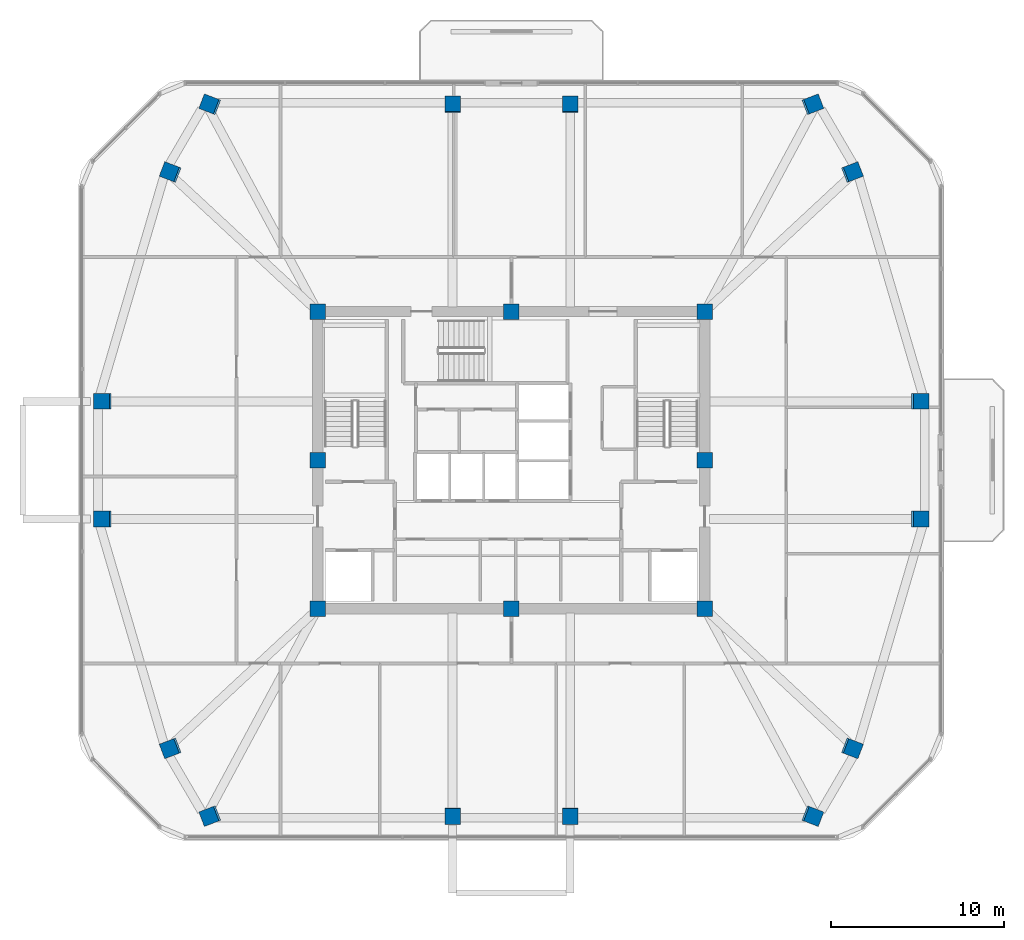
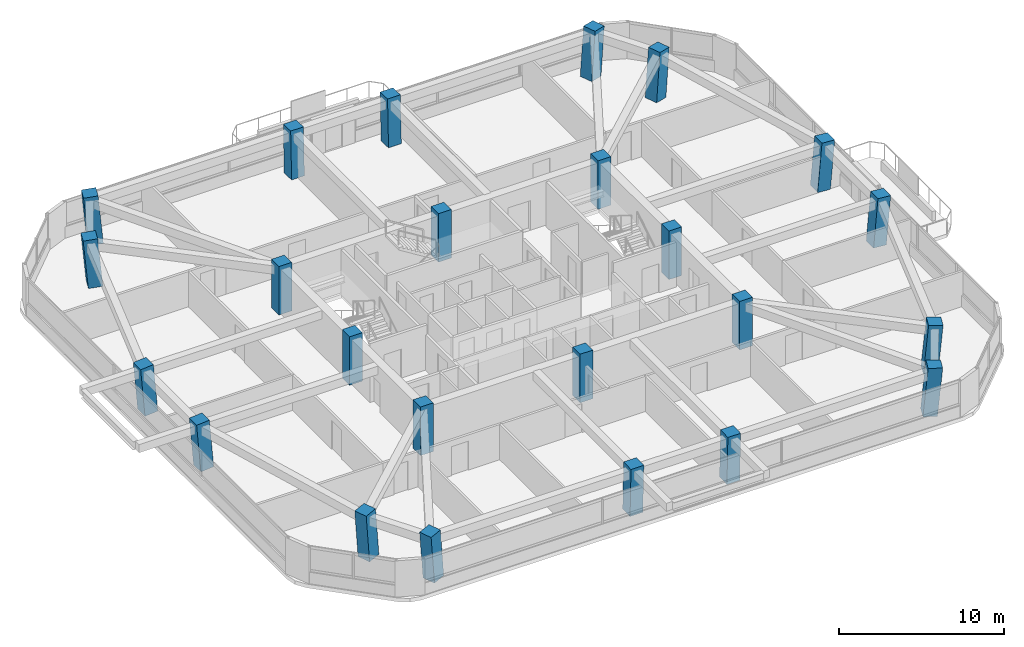
# One storey, part 1 of 13: 24 columns.
"""IFC4 building model written with IfcOpenShell, lengths in metres."""

from ifc_helpers import new_model, si_unit, derived_unit, direction, frame, origin, origin_2d, place, context, subcontext, project, spatial, rectangle, extrude, material, material_profile, profile_set, type_object, element, save


model = new_model("IFC4")

# Units and contexts
model_context = context("Model", 3, precision=1e-05, world=origin(), true_north=direction((0.0, 1.0)))
body_context = subcontext(model_context, "Body", "Model", "MODEL_VIEW")
ifc_project = project(units=[si_unit("LENGTHUNIT", "METRE"), si_unit("AREAUNIT", "SQUARE_METRE"), si_unit("VOLUMEUNIT", "CUBIC_METRE"), si_unit("PLANEANGLEUNIT", "RADIAN"), si_unit("MASSUNIT", "GRAM", prefix="KILO"), derived_unit("THERMALTRANSMITTANCEUNIT", [(si_unit("POWERUNIT", "WATT"), 1), (si_unit("LENGTHUNIT", "METRE"), -2), (si_unit("THERMODYNAMICTEMPERATUREUNIT", "KELVIN"), -1)])], contexts=[model_context])

# Site, building, storey
site_placement = place(None, origin())
site = spatial("IfcSite", under=ifc_project, at=site_placement, CompositionType="ELEMENT")
building_placement = place(site_placement, origin())
building = spatial("IfcBuilding", under=site, at=building_placement, Name="Koralith Skygarden Medical Center", CompositionType="ELEMENT")
storey_placement = place(building_placement, frame((0.0, 0.0, 196.3798828125)))
storey = spatial("IfcBuildingStorey", under=building, at=storey_placement, Name="L50", CompositionType="ELEMENT", Elevation=196.3798828125)

# Columns
ifc_material = material(Name="Concrete C55/67", Category="concrete")
ifc_material_profile_1 = material_profile(ifc_material, rectangle(XDim=0.89990234375, YDim=0.89990234375, at=origin_2d()), Name="RC900X900")
ifc_profile_set_1 = profile_set([ifc_material_profile_1], Name="Concrete C55/67")
column_type_1 = type_object("IfcColumnType", Name="Core Column C55 RC900", PredefinedType="COLUMN", material=ifc_profile_set_1)
for number, where, z_axis, x_axis, name in (
    (1, (25.800048828125, 17.300048828125, 0.0), (0.0, 0.0, 1.0), (1.0, 0.0, 0.0), "L50 Core Column CC-01"),
    (2, (37.0, 17.300048828125, 0.0), (0.0, 0.0, 1.0), (1.0, 0.0, 0.0), "L50 Core Column CC-02"),
    (3, (48.199951171875, 17.300048828125, 0.0), (0.0, 0.0, 1.0), (1.0, 0.0, 0.0), "L50 Core Column CC-03"),
    (4, (48.199951171875, 25.89990234375, 0.0), (0.0, 0.0, 1.0), (1.0, 0.0, 0.0), "L50 Core Column CC-04"),
    (5, (48.199951171875, 34.5, 0.0), (0.0, 0.0, 1.0), (1.0, 0.0, 0.0), "L50 Core Column CC-05"),
    (6, (37.0, 34.5, 0.0), (0.0, 0.0, 1.0), (1.0, 0.0, 0.0), "L50 Core Column CC-06"),
    (7, (25.800048828125, 34.5, 0.0), (0.0, 0.0, 1.0), (1.0, 0.0, 0.0), "L50 Core Column CC-07"),
    (8, (25.800048828125, 25.89990234375, 0.0), (0.0, 0.0, 1.0), (1.0, 0.0, 0.0), "L50 Core Column CC-08"),
):
    element("IfcColumn", number, at=place(storey_placement, frame(where, z_axis=z_axis, x_axis=x_axis)), inside=storey, type_object=column_type_1, Name=name, PredefinedType="COLUMN", context=body_context, shape_type="SweptSolid", body=[
        extrude(rectangle(XDim=0.89990234375, YDim=0.89990234375, at=origin_2d()), origin(), (0.0, 0.0, 1.0), 3.60009765625),
    ])
ifc_material_profile_2 = material_profile(ifc_material, rectangle(XDim=0.89990234375, YDim=0.89990234375, at=origin_2d()), Name="RC900X900")
ifc_profile_set_2 = profile_set([ifc_material_profile_2], Name="Concrete C55/67")
column_type_2 = type_object("IfcColumnType", Name="Zone 4 Flare Mega-Column C55 RC900", PredefinedType="COLUMN", material=ifc_profile_set_2)
column_1_placement = place(storey_placement, frame((13.39501953125, 22.5, 0.02099609375), z_axis=(-0.084844599786, 0.0, 0.996394196032), x_axis=(0.0, -1.0, 0.0)))
element("IfcColumn", 9, at=column_1_placement, inside=storey, type_object=column_type_2, Name="L50 Perimeter Mega-Column MC-01", PredefinedType="COLUMN", context=body_context, shape_type="SweptSolid", body=[
    extrude(rectangle(XDim=0.89990234375, YDim=0.89990234375, at=origin_2d()), origin(), (0.0, 0.0, 1.0), 3.571044921875),
])
for number, where, z_axis, x_axis, name in (
    (10, (17.31494140625, 9.25, 0.02099609375), (-0.084799896141, -0.032457655654, 0.995869207378), (0.357465730512, -0.933926255927, 0.0), "L50 Perimeter Mega-Column MC-02"),
    (11, (19.60595703125, 5.330078125, 0.02099609375), (-0.084528524595, -0.032458406776, 0.995892253389), (0.358473312771, -0.933539974522, 0.0), "L50 Perimeter Mega-Column MC-03"),
):
    element("IfcColumn", number, at=place(storey_placement, frame(where, z_axis=z_axis, x_axis=x_axis)), inside=storey, type_object=column_type_2, Name=name, PredefinedType="COLUMN", context=body_context, shape_type="SweptSolid", body=[
        extrude(rectangle(XDim=0.89990234375, YDim=0.89990234375, at=origin_2d()), origin(), (0.0, 0.0, 1.0), 3.57275390625),
    ])
for number, where, z_axis, x_axis, name in (
    (12, (33.60009765625, 5.330078125, 0.02099609375), (0.0, -0.032574990718, 0.999469294166), (1.0, 0.0, 0.0), "L50 Perimeter Mega-Column MC-04"),
    (13, (40.39990234375, 5.330078125, 0.02099609375), (0.0, -0.032574990718, 0.999469294166), (1.0, 0.0, 0.0), "L50 Perimeter Mega-Column MC-05"),
):
    element("IfcColumn", number, at=place(storey_placement, frame(where, z_axis=z_axis, x_axis=x_axis)), inside=storey, type_object=column_type_2, Name=name, PredefinedType="COLUMN", context=body_context, shape_type="SweptSolid", body=[
        extrude(rectangle(XDim=0.89990234375, YDim=0.89990234375, at=origin_2d()), origin(), (0.0, 0.0, 1.0), 3.56005859375),
    ])
for number, where, z_axis, x_axis, name in (
    (14, (54.39404296875, 5.330078125, 0.02099609375), (0.084528524595, -0.032458406776, 0.995892253389), (0.358473312771, 0.933539974522, 0.0), "L50 Perimeter Mega-Column MC-06"),
    (15, (56.68505859375, 9.25, 0.02099609375), (0.084799896141, -0.032457655654, 0.995869207378), (0.357465730512, 0.933926255927, 0.0), "L50 Perimeter Mega-Column MC-07"),
):
    element("IfcColumn", number, at=place(storey_placement, frame(where, z_axis=z_axis, x_axis=x_axis)), inside=storey, type_object=column_type_2, Name=name, PredefinedType="COLUMN", context=body_context, shape_type="SweptSolid", body=[
        extrude(rectangle(XDim=0.89990234375, YDim=0.89990234375, at=origin_2d()), origin(), (0.0, 0.0, 1.0), 3.57275390625),
    ])
for number, where, z_axis, x_axis, name in (
    (16, (60.60498046875, 22.5, 0.02099609375), (0.084844599786, 0.0, 0.996394196032), (0.0, 1.0, 0.0), "L50 Perimeter Mega-Column MC-08"),
    (17, (60.60498046875, 29.300048828125, 0.02099609375), (0.084844599786, 0.0, 0.996394196032), (0.0, 1.0, 0.0), "L50 Perimeter Mega-Column MC-09"),
):
    element("IfcColumn", number, at=place(storey_placement, frame(where, z_axis=z_axis, x_axis=x_axis)), inside=storey, type_object=column_type_2, Name=name, PredefinedType="COLUMN", context=body_context, shape_type="SweptSolid", body=[
        extrude(rectangle(XDim=0.89990234375, YDim=0.89990234375, at=origin_2d()), origin(), (0.0, 0.0, 1.0), 3.571044921875),
    ])
for number, where, z_axis, x_axis, name in (
    (18, (56.68505859375, 42.550048828125, 0.02099609375), (0.084799896141, 0.032457655654, 0.995869207378), (-0.357465730512, 0.933926255927, 0.0), "L50 Perimeter Mega-Column MC-10"),
    (19, (54.39404296875, 46.469970703125, 0.02099609375), (0.084528524595, 0.032458406776, 0.995892253389), (-0.358473312771, 0.933539974522, 0.0), "L50 Perimeter Mega-Column MC-11"),
):
    element("IfcColumn", number, at=place(storey_placement, frame(where, z_axis=z_axis, x_axis=x_axis)), inside=storey, type_object=column_type_2, Name=name, PredefinedType="COLUMN", context=body_context, shape_type="SweptSolid", body=[
        extrude(rectangle(XDim=0.89990234375, YDim=0.89990234375, at=origin_2d()), origin(), (0.0, 0.0, 1.0), 3.57275390625),
    ])
for number, where, z_axis, x_axis, name in (
    (20, (40.39990234375, 46.469970703125, 0.02099609375), (0.0, 0.032574990718, 0.999469294166), (-1.0, 0.0, 0.0), "L50 Perimeter Mega-Column MC-12"),
    (21, (33.60009765625, 46.469970703125, 0.02099609375), (0.0, 0.032574990718, 0.999469294166), (-1.0, 0.0, 0.0), "L50 Perimeter Mega-Column MC-13"),
):
    element("IfcColumn", number, at=place(storey_placement, frame(where, z_axis=z_axis, x_axis=x_axis)), inside=storey, type_object=column_type_2, Name=name, PredefinedType="COLUMN", context=body_context, shape_type="SweptSolid", body=[
        extrude(rectangle(XDim=0.89990234375, YDim=0.89990234375, at=origin_2d()), origin(), (0.0, 0.0, 1.0), 3.56005859375),
    ])
for number, where, z_axis, x_axis, name in (
    (22, (19.60595703125, 46.469970703125, 0.02099609375), (-0.084528524595, 0.032458406776, 0.995892253389), (-0.358473312771, -0.933539974522, 0.0), "L50 Perimeter Mega-Column MC-14"),
    (23, (17.31494140625, 42.550048828125, 0.02099609375), (-0.084799896141, 0.032457655654, 0.995869207378), (-0.357465730512, -0.933926255927, 0.0), "L50 Perimeter Mega-Column MC-15"),
):
    element("IfcColumn", number, at=place(storey_placement, frame(where, z_axis=z_axis, x_axis=x_axis)), inside=storey, type_object=column_type_2, Name=name, PredefinedType="COLUMN", context=body_context, shape_type="SweptSolid", body=[
        extrude(rectangle(XDim=0.89990234375, YDim=0.89990234375, at=origin_2d()), origin(), (0.0, 0.0, 1.0), 3.57275390625),
    ])
column_2_placement = place(storey_placement, frame((13.39501953125, 29.300048828125, 0.02099609375), z_axis=(-0.084844599786, 0.0, 0.996394196032), x_axis=(0.0, -1.0, 0.0)))
element("IfcColumn", 24, at=column_2_placement, inside=storey, type_object=column_type_2, Name="L50 Perimeter Mega-Column MC-16", PredefinedType="COLUMN", context=body_context, shape_type="SweptSolid", body=[
    extrude(rectangle(XDim=0.89990234375, YDim=0.89990234375, at=origin_2d()), origin(), (0.0, 0.0, 1.0), 3.571044921875),
])

save(model, "model.ifc")
